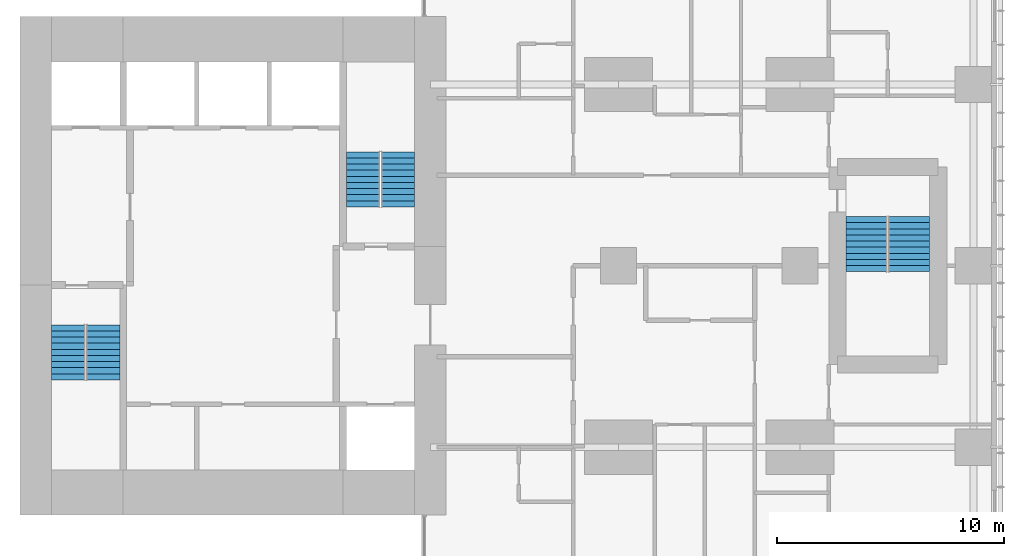
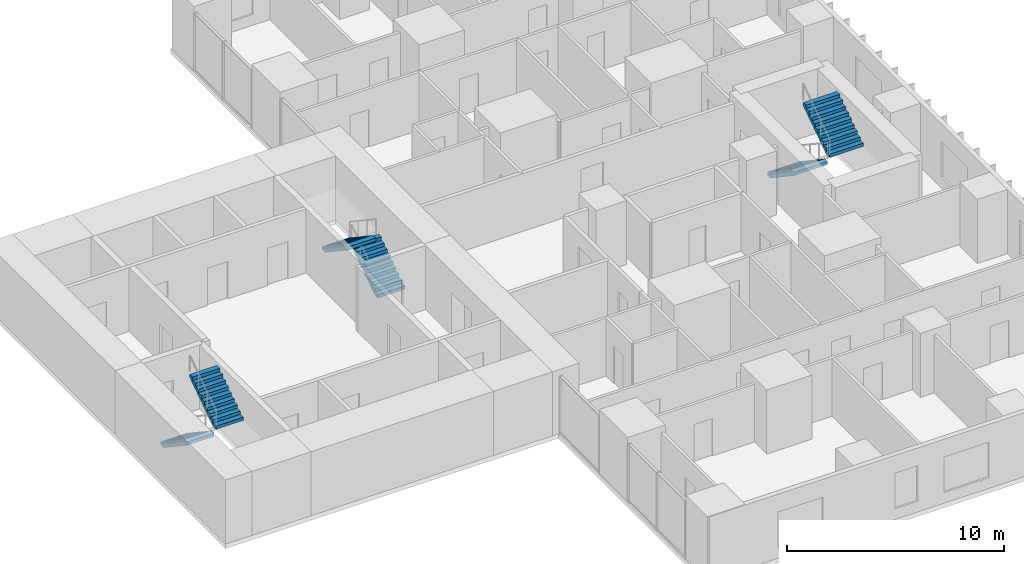
# One storey, part 11 of 12: 6 stair flights, 3 elements without a shape of their own.
"""IFC4 building model written with IfcOpenShell, lengths in metres."""

from ifc_helpers import new_model, si_unit, direction, frame, origin, place, context, subcontext, project, spatial, polyline, outline, extrude, material, type_object, element, aggregate, save


model = new_model("IFC4")

# Units and contexts
model_context = context("Model", 3, precision=1e-05, world=origin(), true_north=direction((0.0, 1.0)))
body_context = subcontext(model_context, "Body", "Model", "MODEL_VIEW")
ifc_project = project(units=[si_unit("LENGTHUNIT", "METRE"), si_unit("AREAUNIT", "SQUARE_METRE"), si_unit("VOLUMEUNIT", "CUBIC_METRE"), si_unit("PLANEANGLEUNIT", "RADIAN"), si_unit("MASSUNIT", "GRAM", prefix="KILO")], contexts=[model_context])

# Site, building, storey
site_placement = place(None, origin())
site = spatial("IfcSite", under=ifc_project, at=site_placement, CompositionType="ELEMENT")
building_placement = place(site_placement, origin())
building = spatial("IfcBuilding", under=site, at=building_placement, Name="Cleftline Residences", CompositionType="ELEMENT")
storey_placement = place(building_placement, frame((0.0, 0.0, 273.60009765625)))
storey = spatial("IfcBuildingStorey", under=building, at=storey_placement, Name="L72", CompositionType="ELEMENT", Elevation=273.60009765625)

# Stair, stair flights
ifc_material_1 = material(Name="Concrete B45, stone treads", Category="masonry")
stair_type_1 = type_object("IfcStairType", Name="STAIR A 1450 WIDE 180 RISER", PredefinedType="HALF_TURN_STAIR", material=ifc_material_1)
stair_1_placement = place(storey_placement, origin())
stair_1 = element("IfcStair", 1, at=stair_1_placement, inside=storey, type_object=stair_type_1, Name="Stair A L72", PredefinedType="HALF_TURN_STAIR")
ifc_material_2 = material(Name="Concrete B45", Category="concrete")
stair_flight_type_1 = type_object("IfcStairFlightType", Name="STAIR A FLIGHT 1450X180", PredefinedType="STRAIGHT", material=ifc_material_2)
stair_flight_1_placement = place(storey_placement, frame((25.72509765625, 21.39990234375, 0.0), z_axis=(0.0, 0.0, 1.0), x_axis=(0.0, -1.0, 0.0)))
stair_flight_1 = element("IfcStairFlight", 2, at=stair_flight_1_placement, type_object=stair_flight_type_1, Name="ST-A flight 1", NumberOfRisers=10, NumberOfTreads=9, PredefinedType="STRAIGHT", RiserHeight=0.18, TreadLength=0.27, context=body_context, shape_type="SweptSolid", body=[
    extrude(outline(polyline([(0.0, 0.0), (0.0, 0.013916015625), (0.0, 0.027587890625), (0.0, 0.04150390625), (0.0, 0.055419921875), (0.0, 0.0693359375), (0.0, 0.0830078125), (0.0, 0.096923828125), (0.0, 0.11083984375), (0.0, 0.12451171875), (0.0, 0.138427734375), (0.0, 0.15234375), (0.0, 0.166259765625), (0.0, 0.179931640625), (0.27001953125, 0.179931640625), (0.27001953125, 0.360107421875), (0.5400390625, 0.360107421875), (0.5400390625, 0.5400390625), (0.81005859375, 0.5400390625), (0.81005859375, 0.719970703125), (1.080078125, 0.719970703125), (1.080078125, 0.89990234375), (1.35009765625, 0.89990234375), (1.35009765625, 1.080078125), (1.6201171875, 1.080078125), (1.6201171875, 1.260009765625), (1.889892578125, 1.260009765625), (1.889892578125, 1.43994140625), (2.159912109375, 1.43994140625), (2.159912109375, 1.6201171875), (2.429931640625, 1.6201171875), (2.429931640625, 1.800048828125), (2.429931640625, 1.772216796875), (2.429931640625, 1.74462890625), (2.429931640625, 1.716796875), (2.429931640625, 1.689208984375), (2.429931640625, 1.661376953125), (2.429931640625, 1.6337890625), (2.429931640625, 1.60595703125), (2.429931640625, 1.578369140625), (2.429931640625, 1.550537109375), (2.429931640625, 1.52294921875), (2.429931640625, 1.495361328125), (2.429931640625, 1.467529296875), (2.429931640625, 1.43994140625), (0.270263671875, 0.0), (0.0, 0.0)])), frame((0.0, 0.72509765625, 0.0), z_axis=(0.0, -1.0, 0.0), x_axis=(1.0, 0.0, 0.0)), (0.0, 0.0, 1.0), 1.449951171875),
])
stair_flight_2_placement = place(storey_placement, frame((27.27490234375, 18.969970703125, 1.7998046875), z_axis=(0.0, 0.0, 1.0), x_axis=(0.0, 1.0, 0.0)))
stair_flight_2 = element("IfcStairFlight", 3, at=stair_flight_2_placement, type_object=stair_flight_type_1, Name="ST-A flight 2", NumberOfRisers=10, NumberOfTreads=9, PredefinedType="STRAIGHT", RiserHeight=0.18, TreadLength=0.27, context=body_context, shape_type="SweptSolid", body=[
    extrude(outline(polyline([(0.0, 0.0), (0.0, 0.013916015625), (0.0, 0.027587890625), (0.0, 0.04150390625), (0.0, 0.055419921875), (0.0, 0.0693359375), (0.0, 0.0830078125), (0.0, 0.096923828125), (0.0, 0.11083984375), (0.0, 0.12451171875), (0.0, 0.138427734375), (0.0, 0.15234375), (0.0, 0.166259765625), (0.0, 0.179931640625), (0.27001953125, 0.179931640625), (0.27001953125, 0.360107421875), (0.5400390625, 0.360107421875), (0.5400390625, 0.5400390625), (0.81005859375, 0.5400390625), (0.81005859375, 0.719970703125), (1.080078125, 0.719970703125), (1.080078125, 0.89990234375), (1.35009765625, 0.89990234375), (1.35009765625, 1.080078125), (1.6201171875, 1.080078125), (1.6201171875, 1.260009765625), (1.889892578125, 1.260009765625), (1.889892578125, 1.43994140625), (2.159912109375, 1.43994140625), (2.159912109375, 1.6201171875), (2.429931640625, 1.6201171875), (2.429931640625, 1.800048828125), (2.429931640625, 1.772216796875), (2.429931640625, 1.74462890625), (2.429931640625, 1.716796875), (2.429931640625, 1.689208984375), (2.429931640625, 1.661376953125), (2.429931640625, 1.6337890625), (2.429931640625, 1.60595703125), (2.429931640625, 1.578369140625), (2.429931640625, 1.550537109375), (2.429931640625, 1.52294921875), (2.429931640625, 1.495361328125), (2.429931640625, 1.467529296875), (2.429931640625, 1.43994140625), (0.270263671875, 0.0), (0.0, 0.0)])), frame((0.0, 0.72509765625, 0.0), z_axis=(0.0, -1.0, 0.0), x_axis=(1.0, 0.0, 0.0)), (0.0, 0.0, 1.0), 1.449951171875),
])
aggregate(stair_1, [stair_flight_1, stair_flight_2])

ifc_material_3 = material(Name="Concrete B45, stone treads", Category="masonry")
stair_type_2 = type_object("IfcStairType", Name="STAIR B 1450 WIDE 180 RISER", PredefinedType="HALF_TURN_STAIR", material=ifc_material_3)
stair_2_placement = place(storey_placement, origin())
stair_2 = element("IfcStair", 4, at=stair_2_placement, inside=storey, type_object=stair_type_2, Name="Stair B L72", PredefinedType="HALF_TURN_STAIR")
ifc_material_4 = material(Name="Concrete B45", Category="concrete")
stair_flight_type_2 = type_object("IfcStairFlightType", Name="STAIR B FLIGHT 1450X180", PredefinedType="STRAIGHT", material=ifc_material_4)
stair_flight_3_placement = place(storey_placement, frame((40.27490234375, 26.60009765625, 0.0), z_axis=(0.0, 0.0, 1.0), x_axis=(0.0, 1.0, 0.0)))
stair_flight_3 = element("IfcStairFlight", 5, at=stair_flight_3_placement, type_object=stair_flight_type_2, Name="ST-B flight 1", NumberOfRisers=10, NumberOfTreads=9, PredefinedType="STRAIGHT", RiserHeight=0.18, TreadLength=0.27, context=body_context, shape_type="SweptSolid", body=[
    extrude(outline(polyline([(0.0, 0.0), (0.0, 0.013916015625), (0.0, 0.027587890625), (0.0, 0.04150390625), (0.0, 0.055419921875), (0.0, 0.0693359375), (0.0, 0.0830078125), (0.0, 0.096923828125), (0.0, 0.11083984375), (0.0, 0.12451171875), (0.0, 0.138427734375), (0.0, 0.15234375), (0.0, 0.166259765625), (0.0, 0.179931640625), (0.27001953125, 0.179931640625), (0.27001953125, 0.360107421875), (0.5400390625, 0.360107421875), (0.5400390625, 0.5400390625), (0.81005859375, 0.5400390625), (0.81005859375, 0.719970703125), (1.080078125, 0.719970703125), (1.080078125, 0.89990234375), (1.35009765625, 0.89990234375), (1.35009765625, 1.080078125), (1.6201171875, 1.080078125), (1.6201171875, 1.260009765625), (1.889892578125, 1.260009765625), (1.889892578125, 1.43994140625), (2.159912109375, 1.43994140625), (2.159912109375, 1.6201171875), (2.429931640625, 1.6201171875), (2.429931640625, 1.800048828125), (2.429931640625, 1.772216796875), (2.429931640625, 1.74462890625), (2.429931640625, 1.716796875), (2.429931640625, 1.689208984375), (2.429931640625, 1.661376953125), (2.429931640625, 1.6337890625), (2.429931640625, 1.60595703125), (2.429931640625, 1.578369140625), (2.429931640625, 1.550537109375), (2.429931640625, 1.52294921875), (2.429931640625, 1.495361328125), (2.429931640625, 1.467529296875), (2.429931640625, 1.43994140625), (0.270263671875, 0.0), (0.0, 0.0)])), frame((0.0, 0.72509765625, 0.0), z_axis=(0.0, -1.0, 0.0), x_axis=(1.0, 0.0, 0.0)), (0.0, 0.0, 1.0), 1.449951171875),
])
stair_flight_4_placement = place(storey_placement, frame((38.72509765625, 29.030029296875, 1.7998046875), z_axis=(0.0, 0.0, 1.0), x_axis=(0.0, -1.0, 0.0)))
stair_flight_4 = element("IfcStairFlight", 6, at=stair_flight_4_placement, type_object=stair_flight_type_2, Name="ST-B flight 2", NumberOfRisers=10, NumberOfTreads=9, PredefinedType="STRAIGHT", RiserHeight=0.18, TreadLength=0.27, context=body_context, shape_type="SweptSolid", body=[
    extrude(outline(polyline([(0.0, 0.0), (0.0, 0.013916015625), (0.0, 0.027587890625), (0.0, 0.04150390625), (0.0, 0.055419921875), (0.0, 0.0693359375), (0.0, 0.0830078125), (0.0, 0.096923828125), (0.0, 0.11083984375), (0.0, 0.12451171875), (0.0, 0.138427734375), (0.0, 0.15234375), (0.0, 0.166259765625), (0.0, 0.179931640625), (0.27001953125, 0.179931640625), (0.27001953125, 0.360107421875), (0.5400390625, 0.360107421875), (0.5400390625, 0.5400390625), (0.81005859375, 0.5400390625), (0.81005859375, 0.719970703125), (1.080078125, 0.719970703125), (1.080078125, 0.89990234375), (1.35009765625, 0.89990234375), (1.35009765625, 1.080078125), (1.6201171875, 1.080078125), (1.6201171875, 1.260009765625), (1.889892578125, 1.260009765625), (1.889892578125, 1.43994140625), (2.159912109375, 1.43994140625), (2.159912109375, 1.6201171875), (2.429931640625, 1.6201171875), (2.429931640625, 1.800048828125), (2.429931640625, 1.772216796875), (2.429931640625, 1.74462890625), (2.429931640625, 1.716796875), (2.429931640625, 1.689208984375), (2.429931640625, 1.661376953125), (2.429931640625, 1.6337890625), (2.429931640625, 1.60595703125), (2.429931640625, 1.578369140625), (2.429931640625, 1.550537109375), (2.429931640625, 1.52294921875), (2.429931640625, 1.495361328125), (2.429931640625, 1.467529296875), (2.429931640625, 1.43994140625), (0.270263671875, 0.0), (0.0, 0.0)])), frame((0.0, 0.72509765625, 0.0), z_axis=(0.0, -1.0, 0.0), x_axis=(1.0, 0.0, 0.0)), (0.0, 0.0, 1.0), 1.449951171875),
])
aggregate(stair_2, [stair_flight_3, stair_flight_4])

ifc_material_5 = material(Name="Concrete B45, stone treads", Category="masonry")
stair_type_3 = type_object("IfcStairType", Name="STAIR E 1800 WIDE 180 RISER", PredefinedType="HALF_TURN_STAIR", material=ifc_material_5)
stair_3_placement = place(storey_placement, origin())
stair_3 = element("IfcStair", 7, at=stair_3_placement, inside=storey, type_object=stair_type_3, Name="Stair E L72", PredefinedType="HALF_TURN_STAIR")
ifc_material_6 = material(Name="Concrete B45", Category="concrete")
stair_flight_type_3 = type_object("IfcStairFlightType", Name="STAIR E FLIGHT 1800X180", PredefinedType="STRAIGHT", material=ifc_material_6)
stair_flight_5_placement = place(storey_placement, frame((60.925048828125, 26.175048828125, 0.0), z_axis=(0.0, 0.0, 1.0), x_axis=(0.0, -1.0, 0.0)))
stair_flight_5 = element("IfcStairFlight", 8, at=stair_flight_5_placement, type_object=stair_flight_type_3, Name="ST-E flight 1", NumberOfRisers=10, NumberOfTreads=9, PredefinedType="STRAIGHT", RiserHeight=0.18, TreadLength=0.27, context=body_context, shape_type="SweptSolid", body=[
    extrude(outline(polyline([(0.0, 0.0), (0.0, 0.013916015625), (0.0, 0.027587890625), (0.0, 0.04150390625), (0.0, 0.055419921875), (0.0, 0.0693359375), (0.0, 0.0830078125), (0.0, 0.096923828125), (0.0, 0.11083984375), (0.0, 0.12451171875), (0.0, 0.138427734375), (0.0, 0.15234375), (0.0, 0.166259765625), (0.0, 0.179931640625), (0.27001953125, 0.179931640625), (0.27001953125, 0.360107421875), (0.5400390625, 0.360107421875), (0.5400390625, 0.5400390625), (0.81005859375, 0.5400390625), (0.81005859375, 0.719970703125), (1.080078125, 0.719970703125), (1.080078125, 0.89990234375), (1.35009765625, 0.89990234375), (1.35009765625, 1.080078125), (1.6201171875, 1.080078125), (1.6201171875, 1.260009765625), (1.889892578125, 1.260009765625), (1.889892578125, 1.43994140625), (2.159912109375, 1.43994140625), (2.159912109375, 1.6201171875), (2.429931640625, 1.6201171875), (2.429931640625, 1.800048828125), (2.429931640625, 1.772216796875), (2.429931640625, 1.74462890625), (2.429931640625, 1.716796875), (2.429931640625, 1.689208984375), (2.429931640625, 1.661376953125), (2.429931640625, 1.6337890625), (2.429931640625, 1.60595703125), (2.429931640625, 1.578369140625), (2.429931640625, 1.550537109375), (2.429931640625, 1.52294921875), (2.429931640625, 1.495361328125), (2.429931640625, 1.467529296875), (2.429931640625, 1.43994140625), (0.270263671875, 0.0), (0.0, 0.0)])), frame((0.0, 0.89990234375, 0.0), z_axis=(0.0, -1.0, 0.0), x_axis=(1.0, 0.0, 0.0)), (0.0, 0.0, 1.0), 1.800048828125),
])
stair_flight_6_placement = place(storey_placement, frame((62.824951171875, 23.7451171875, 1.7998046875), z_axis=(0.0, 0.0, 1.0), x_axis=(0.0, 1.0, 0.0)))
stair_flight_6 = element("IfcStairFlight", 9, at=stair_flight_6_placement, type_object=stair_flight_type_3, Name="ST-E flight 2", NumberOfRisers=10, NumberOfTreads=9, PredefinedType="STRAIGHT", RiserHeight=0.18, TreadLength=0.27, context=body_context, shape_type="SweptSolid", body=[
    extrude(outline(polyline([(0.0, 0.0), (0.0, 0.013916015625), (0.0, 0.027587890625), (0.0, 0.04150390625), (0.0, 0.055419921875), (0.0, 0.0693359375), (0.0, 0.0830078125), (0.0, 0.096923828125), (0.0, 0.11083984375), (0.0, 0.12451171875), (0.0, 0.138427734375), (0.0, 0.15234375), (0.0, 0.166259765625), (0.0, 0.179931640625), (0.27001953125, 0.179931640625), (0.27001953125, 0.360107421875), (0.5400390625, 0.360107421875), (0.5400390625, 0.5400390625), (0.81005859375, 0.5400390625), (0.81005859375, 0.719970703125), (1.080078125, 0.719970703125), (1.080078125, 0.89990234375), (1.35009765625, 0.89990234375), (1.35009765625, 1.080078125), (1.6201171875, 1.080078125), (1.6201171875, 1.260009765625), (1.889892578125, 1.260009765625), (1.889892578125, 1.43994140625), (2.159912109375, 1.43994140625), (2.159912109375, 1.6201171875), (2.429931640625, 1.6201171875), (2.429931640625, 1.800048828125), (2.429931640625, 1.772216796875), (2.429931640625, 1.74462890625), (2.429931640625, 1.716796875), (2.429931640625, 1.689208984375), (2.429931640625, 1.661376953125), (2.429931640625, 1.6337890625), (2.429931640625, 1.60595703125), (2.429931640625, 1.578369140625), (2.429931640625, 1.550537109375), (2.429931640625, 1.52294921875), (2.429931640625, 1.495361328125), (2.429931640625, 1.467529296875), (2.429931640625, 1.43994140625), (0.270263671875, 0.0), (0.0, 0.0)])), frame((0.0, 0.89990234375, 0.0), z_axis=(0.0, -1.0, 0.0), x_axis=(1.0, 0.0, 0.0)), (0.0, 0.0, 1.0), 1.800048828125),
])
aggregate(stair_3, [stair_flight_5, stair_flight_6])

save(model, "model.ifc")
